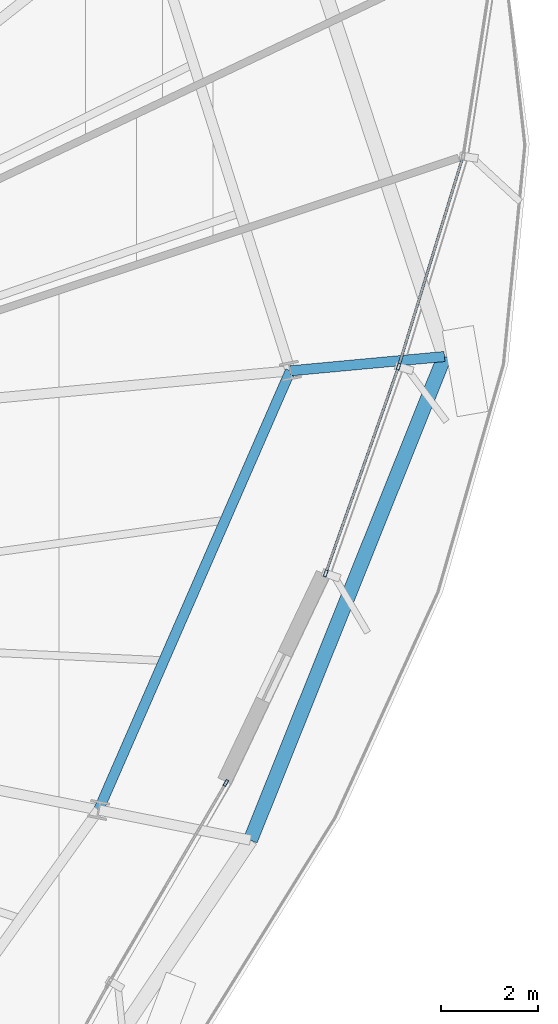
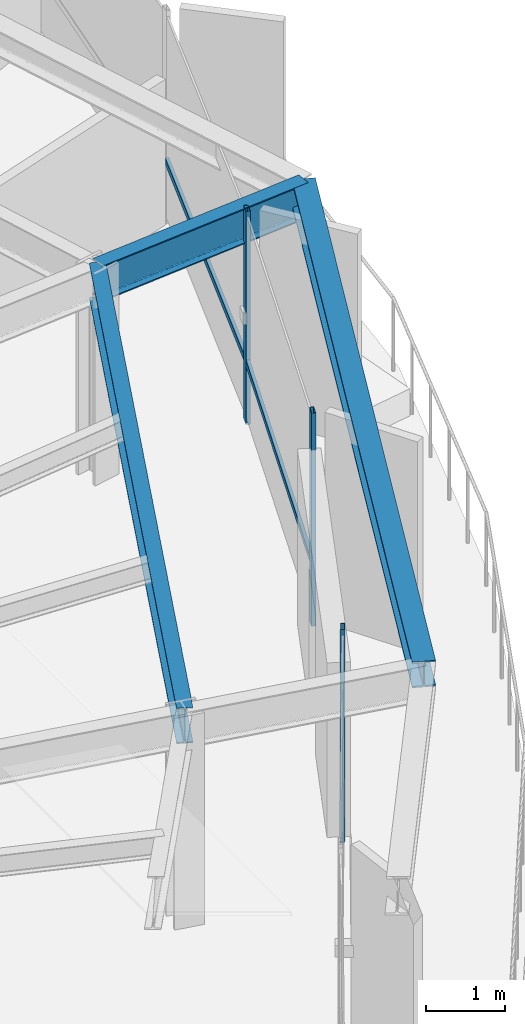
# One storey, part 19 of 36: 5 members, 3 beams, 2 elements without a shape of their own.
"""IFC4 building model written with IfcOpenShell, lengths in metres."""

from ifc_helpers import new_model, si_unit, direction, frame, origin, origin_2d, place, context, subcontext, project, spatial, hollow_rectangle, i_section, extrude, source, transform, mapped, material, layer, layer_set, material_profile, profile_set, type_object, element, aggregate, save


model = new_model("IFC4")

# Units and contexts
model_context = context("Model", 3, precision=1e-05, world=origin(), true_north=direction((0.0, 1.0)))
body_context = subcontext(model_context, "Body", "Model", "MODEL_VIEW")
ifc_project = project(units=[si_unit("LENGTHUNIT", "METRE"), si_unit("AREAUNIT", "SQUARE_METRE"), si_unit("VOLUMEUNIT", "CUBIC_METRE"), si_unit("PLANEANGLEUNIT", "RADIAN"), si_unit("MASSUNIT", "GRAM", prefix="KILO"), si_unit("THERMODYNAMICTEMPERATUREUNIT", "KELVIN")], contexts=[model_context])

# Site, building, storey
site_placement = place(None, origin())
site = spatial("IfcSite", under=ifc_project, at=site_placement, CompositionType="ELEMENT")
building_placement = place(site_placement, origin())
building = spatial("IfcBuilding", under=site, at=building_placement, Name="Kethvar Cultural Tower", CompositionType="ELEMENT")
storey_placement = place(building_placement, frame((0.0, 0.0, 164.300048828125)))
storey = spatial("IfcBuildingStorey", under=building, at=storey_placement, Name="L42", CompositionType="ELEMENT", Elevation=164.300048828125)

# Beams
ifc_material_1 = material(Name="Steel S355J2", Category="steel")
ifc_material_profile_1 = material_profile(ifc_material_1, i_section(OverallWidth=0.2099609375, OverallDepth=0.550048828125, WebThickness=0.010986328125, FlangeThickness=0.01708984375, FilletRadius=0.02392578125, at=origin_2d()), Name="Steel S355J2 — IPE550")
ifc_profile_set_1 = profile_set([ifc_material_profile_1], Name="Steel S355J2 — IPE550")
beam_type_1 = type_object("IfcBeamType", Name="BM-IPE550", PredefinedType="BEAM", material=ifc_profile_set_1)
shared_shape_1 = source(origin(), body_context, "Body", "SweptSolid", [
    extrude(i_section(OverallWidth=0.2099609375, OverallDepth=0.550048828125, WebThickness=0.010986328125, FlangeThickness=0.01708984375, FilletRadius=0.02392578125, at=origin_2d()), origin(), (0.0, 0.0, 1.0), 3.199951171875),
])
beam_1_placement = place(storey_placement, frame((71.6025390625, 32.7333984375, 3.02294921875), z_axis=(0.995729641608, 0.092317283453, 0.0), x_axis=(-0.092317283453, 0.995729641608, 0.0)))
element("IfcBeam", 1, at=beam_1_placement, inside=storey, type_object=beam_type_1, Name="L42 Perimeter Cantilever Beam RC-01", PredefinedType="BEAM", context=body_context, shape_type="MappedRepresentation", body=[
    mapped(shared_shape_1, transform((0.0, 0.0, 0.0), scale=1.0)),
])
shared_shape_2 = source(origin(), body_context, "Body", "SweptSolid", [
    extrude(i_section(OverallWidth=0.2099609375, OverallDepth=0.550048828125, WebThickness=0.010986328125, FlangeThickness=0.01708984375, FilletRadius=0.02392578125, at=origin_2d()), origin(), (0.0, 0.0, 1.0), 9.90625),
])
beam_2_placement = place(storey_placement, frame((67.638671875, 23.65478515625, 3.02294921875), z_axis=(0.400138679026, 0.916454602011, 0.0), x_axis=(-0.916454602011, 0.400138679026, 0.0)))
element("IfcBeam", 2, at=beam_2_placement, inside=storey, type_object=beam_type_1, Name="L42 Column Ring Tie Beam CR-16", PredefinedType="BEAM", context=body_context, shape_type="MappedRepresentation", body=[
    mapped(shared_shape_2, transform((0.0, 0.0, 0.0), scale=1.0)),
])
ifc_material_profile_2 = material_profile(ifc_material_1, i_section(OverallWidth=0.300048828125, OverallDepth=0.39990234375, WebThickness=0.013427734375, FlangeThickness=0.02392578125, FilletRadius=0.027099609375, at=origin_2d()), Name="Steel S355J2 — HEB400")
ifc_profile_set_2 = profile_set([ifc_material_profile_2], Name="Steel S355J2 — HEB400")
beam_type_2 = type_object("IfcBeamType", Name="BM-SP400", PredefinedType="SPANDREL", material=ifc_profile_set_2)
shared_shape_3 = source(origin(), body_context, "Body", "SweptSolid", [
    extrude(i_section(OverallWidth=0.300048828125, OverallDepth=0.39990234375, WebThickness=0.013427734375, FlangeThickness=0.02392578125, FilletRadius=0.027099609375, at=origin_2d()), origin(), (0.0, 0.0, 1.0), 10.773193359375),
])
beam_3_placement = place(storey_placement, frame((70.777099609375, 23.030517578125, 3.097900390625), z_axis=(0.372382905959, 0.928079183771, 0.0), x_axis=(-0.928079183771, 0.372382905959, 0.0)))
element("IfcBeam", 3, at=beam_3_placement, inside=storey, type_object=beam_type_2, Name="L42 Perimeter Spandrel Beam SP-16", PredefinedType="SPANDREL", context=body_context, shape_type="MappedRepresentation", body=[
    mapped(shared_shape_3, transform((0.0, 0.0, 0.0), scale=1.0)),
])

# Curtain wall, member
ifc_material_2 = material(Name="Aluminium 6063-T6", Category="aluminium")
ifc_layer = layer(ifc_material_2, 0.179931640625, Name="Aluminium 6063-T6", Category="aluminium")
ifc_layer_set = layer_set([ifc_layer], Name="Aluminium 6063-T6 (180 mm)")
curtain_wall_type = type_object("IfcCurtainWallType", Name="CW-SYS-04-Z34", PredefinedType="NOTDEFINED", material=ifc_layer_set)
curtain_wall_1_placement = place(storey_placement, origin())
curtain_wall_1 = element("IfcCurtainWall", 4, at=curtain_wall_1_placement, inside=storey, type_object=curtain_wall_type, Name="L42 Curtain Wall Run 06", PredefinedType="NOTDEFINED")
ifc_material_profile_3 = material_profile(ifc_material_2, hollow_rectangle(XDim=0.06005859375, YDim=0.139892578125, WallThickness=0.0048828125, at=origin_2d()), Name="Aluminium 6063-T6 — RHS140x60x5")
ifc_profile_set_3 = profile_set([ifc_material_profile_3], Name="Aluminium 6063-T6 — RHS140x60x5")
member_type_1 = type_object("IfcMemberType", Name="CW-SYS-04-Z34-MUL", PredefinedType="MULLION", material=ifc_profile_set_3)
shared_shape_4 = source(origin(), body_context, "Body", "SweptSolid", [
    extrude(hollow_rectangle(XDim=0.06005859375, YDim=0.139892578125, WallThickness=0.0048828125, at=origin_2d()), origin(), (0.0, 0.0, 1.0), 3.300048828125),
])
member_1_placement = place(storey_placement, frame((70.26953125, 24.210693359375, 0.0), z_axis=(0.0, 0.0, 1.0), x_axis=(-0.863104820366, 0.505024820243, 0.0)))
member_1 = element("IfcMember", 5, at=member_1_placement, type_object=member_type_1, Name="CW-L42-R06 Mullion 2", PredefinedType="MULLION", context=body_context, shape_type="MappedRepresentation", body=[
    mapped(shared_shape_4, transform((0.0, 0.0, 0.0), scale=1.0)),
])
aggregate(curtain_wall_1, [member_1])

# Curtain wall, members
curtain_wall_2_placement = place(storey_placement, origin())
curtain_wall_2 = element("IfcCurtainWall", 6, at=curtain_wall_2_placement, inside=storey, type_object=curtain_wall_type, Name="L42 Curtain Wall Run 07", PredefinedType="NOTDEFINED")
member_2_placement = place(storey_placement, frame((72.333251953125, 28.5458984375, 0.0), z_axis=(0.0, 0.0, 1.0), x_axis=(-0.943193667829, 0.332243442324, 0.0)))
member_2 = element("IfcMember", 7, at=member_2_placement, type_object=member_type_1, Name="CW-L42-R07 Mullion 1", PredefinedType="MULLION", context=body_context, shape_type="MappedRepresentation", body=[
    mapped(shared_shape_4, transform((0.0, 0.0, 0.0), scale=1.0)),
])
member_3_placement = place(storey_placement, frame((73.83935546875, 32.8212890625, 0.0), z_axis=(0.0, 0.0, 1.0), x_axis=(-0.956069716737, 0.293139381079, 0.0)))
member_3 = element("IfcMember", 8, at=member_3_placement, type_object=member_type_1, Name="CW-L42-R07 Mullion 2", PredefinedType="MULLION", context=body_context, shape_type="MappedRepresentation", body=[
    mapped(shared_shape_4, transform((0.0, 0.0, 0.0), scale=1.0)),
])
ifc_material_profile_4 = material_profile(ifc_material_2, hollow_rectangle(XDim=0.050048828125, YDim=0.10009765625, WallThickness=0.00390625, at=origin_2d()), Name="Aluminium 6063-T6 — RHS100x50x4")
ifc_profile_set_4 = profile_set([ifc_material_profile_4], Name="Aluminium 6063-T6 — RHS100x50x4")
member_type_2 = type_object("IfcMemberType", Name="CW-SYS-04-Z34-TRN", PredefinedType="USERDEFINED", material=ifc_profile_set_4)
shared_shape_5 = source(origin(), body_context, "Body", "SweptSolid", [
    extrude(hollow_rectangle(XDim=0.050048828125, YDim=0.10009765625, WallThickness=0.00390625, at=origin_2d()), origin(), (0.0, 0.0, 1.0), 4.489990234375),
])
member_4_placement = place(storey_placement, frame((72.334716796875, 28.550048828125, 0.949951171875), z_axis=(0.332234136861, 0.943196945661, 0.0), x_axis=(-0.943196945661, 0.332234136861, 0.0)))
member_4 = element("IfcMember", 9, at=member_4_placement, type_object=member_type_2, Name="CW-L42-R07 Transom 1", ObjectType="TRANSOM", PredefinedType="USERDEFINED", context=body_context, shape_type="MappedRepresentation", body=[
    mapped(shared_shape_5, transform((0.0, 0.0, 0.0), scale=1.0)),
])
shared_shape_6 = source(origin(), body_context, "Body", "SweptSolid", [
    extrude(hollow_rectangle(XDim=0.050048828125, YDim=0.10009765625, WallThickness=0.00390625, at=origin_2d()), origin(), (0.0, 0.0, 1.0), 4.477294921875),
])
member_5_placement = place(storey_placement, frame((73.85205078125, 32.86279296875, 0.949951171875), z_axis=(0.293150747774, 0.956066231534, 0.0), x_axis=(-0.956066231534, 0.293150747774, 0.0)))
member_5 = element("IfcMember", 10, at=member_5_placement, type_object=member_type_2, Name="CW-L42-R07 Transom 2", ObjectType="TRANSOM", PredefinedType="USERDEFINED", context=body_context, shape_type="MappedRepresentation", body=[
    mapped(shared_shape_6, transform((0.0, 0.0, 0.0), scale=1.0)),
])
aggregate(curtain_wall_2, [member_2, member_3, member_4, member_5])

save(model, "model.ifc")
